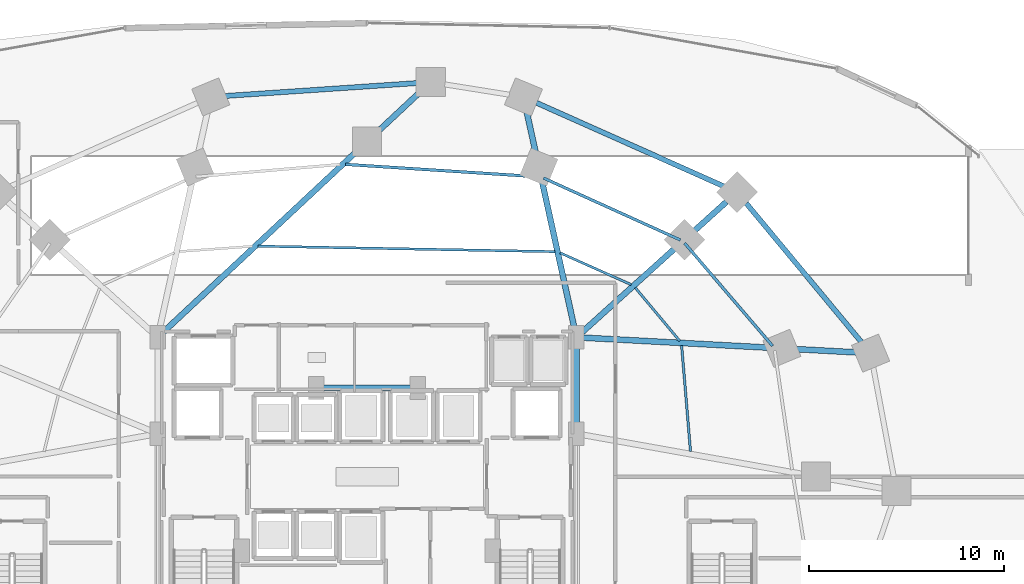
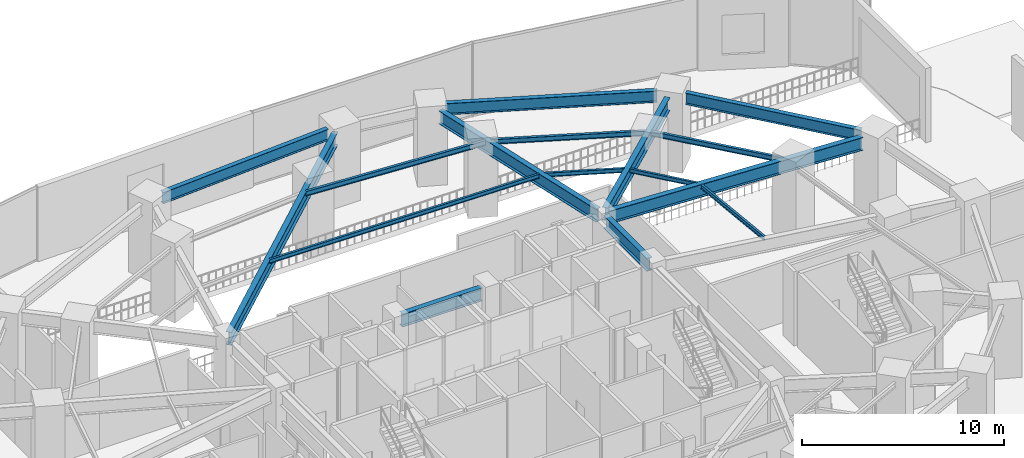
# One storey, part 19 of 36: 16 beams.
"""IFC4 building model written with IfcOpenShell, lengths in metres."""

from ifc_helpers import new_model, si_unit, direction, frame, origin, origin_2d, place, context, subcontext, project, spatial, i_section, extrude, material, material_profile, profile_set, type_object, element, save


model = new_model("IFC4")

# Units and contexts
model_context = context("Model", 3, precision=1e-05, world=origin(), true_north=direction((0.0, 1.0)))
body_context = subcontext(model_context, "Body", "Model", "MODEL_VIEW")
ifc_project = project(units=[si_unit("LENGTHUNIT", "METRE"), si_unit("AREAUNIT", "SQUARE_METRE"), si_unit("VOLUMEUNIT", "CUBIC_METRE"), si_unit("PLANEANGLEUNIT", "RADIAN"), si_unit("MASSUNIT", "GRAM", prefix="KILO")], contexts=[model_context])

# Site, building, storey
site_placement = place(None, origin())
site = spatial("IfcSite", under=ifc_project, at=site_placement, CompositionType="ELEMENT")
building_placement = place(site_placement, origin())
building = spatial("IfcBuilding", under=site, at=building_placement, Name="Vorneva Point Tower", CompositionType="ELEMENT")
storey_placement = place(building_placement, origin())
storey = spatial("IfcBuildingStorey", under=building, at=storey_placement, Name="L00", CompositionType="ELEMENT", Elevation=0.0)

# Beams
ifc_material = material(Name="Steel S355", Category="steel")
ifc_material_profile_1 = material_profile(ifc_material, i_section(OverallWidth=0.300048828125, OverallDepth=0.7880859375, WebThickness=0.014404296875, FlangeThickness=0.02197265625, at=origin_2d()), Name="80Sh1")
ifc_profile_set_1 = profile_set([ifc_material_profile_1], Name="Steel S355")
beam_type_1 = type_object("IfcBeamType", Name="BM-GRD-80Sh1", PredefinedType="USERDEFINED", material=ifc_profile_set_1)
beam_1_placement = place(storey_placement, frame((63.11767578125, 32.37646484375, 4.0859375), z_axis=(-0.99855432341, 0.053751866937, 0.0), x_axis=(-0.053751866937, -0.99855432341, 0.0)))
element("IfcBeam", 1, at=beam_1_placement, inside=storey, type_object=beam_type_1, Name="L00 Radial Primary Girder 02", ObjectType="GIRDER", PredefinedType="USERDEFINED", context=body_context, shape_type="SweptSolid", body=[
    extrude(i_section(OverallWidth=0.300048828125, OverallDepth=0.7880859375, WebThickness=0.014404296875, FlangeThickness=0.02197265625, at=origin_2d()), origin(), (0.0, 0.0, 1.0), 14.04833984375),
])
beam_2_placement = place(storey_placement, frame((56.44970703125, 40.10498046875, 4.0859375), z_axis=(-0.742089370901, -0.67030095151, 0.0), x_axis=(0.67030095151, -0.742089370901, 0.0)))
element("IfcBeam", 2, at=beam_2_placement, inside=storey, type_object=beam_type_1, Name="L00 Radial Primary Girder 03", ObjectType="GIRDER", PredefinedType="USERDEFINED", context=body_context, shape_type="SweptSolid", body=[
    extrude(i_section(OverallWidth=0.300048828125, OverallDepth=0.7880859375, WebThickness=0.014404296875, FlangeThickness=0.02197265625, at=origin_2d()), origin(), (0.0, 0.0, 1.0), 10.035888671875),
])
beam_3_placement = place(storey_placement, frame((46.185302734375, 44.77099609375, 4.0859375), z_axis=(0.215510345791, -0.976501557017, 0.0), x_axis=(0.976501557017, 0.215510345791, 0.0)))
element("IfcBeam", 3, at=beam_3_placement, inside=storey, type_object=beam_type_1, Name="L00 Radial Primary Girder 04", ObjectType="GIRDER", PredefinedType="USERDEFINED", context=body_context, shape_type="SweptSolid", body=[
    extrude(i_section(OverallWidth=0.300048828125, OverallDepth=0.7880859375, WebThickness=0.014404296875, FlangeThickness=0.02197265625, at=origin_2d()), origin(), (0.0, 0.0, 1.0), 11.560791015625),
])
beam_4_placement = place(storey_placement, frame((40.72607421875, 45.74853515625, 4.0859375), z_axis=(-0.730489653378, -0.682923763174, 0.0), x_axis=(0.682923763174, -0.730489653378, 0.0)))
element("IfcBeam", 4, at=beam_4_placement, inside=storey, type_object=beam_type_1, Name="L00 Radial Primary Girder 05", ObjectType="GIRDER", PredefinedType="USERDEFINED", context=body_context, shape_type="SweptSolid", body=[
    extrude(i_section(OverallWidth=0.300048828125, OverallDepth=0.7880859375, WebThickness=0.014404296875, FlangeThickness=0.02197265625, at=origin_2d()), origin(), (0.0, 0.0, 1.0), 18.108154296875),
])
beam_5_placement = place(storey_placement, frame((48.75, 28.52001953125, 4.0859375), z_axis=(0.0, 1.0, 0.0), x_axis=(-1.0, 0.0, 0.0)))
element("IfcBeam", 5, at=beam_5_placement, inside=storey, type_object=beam_type_1, Name="L00 Core Tie Girder CT4", ObjectType="GIRDER", PredefinedType="USERDEFINED", context=body_context, shape_type="SweptSolid", body=[
    extrude(i_section(OverallWidth=0.300048828125, OverallDepth=0.7880859375, WebThickness=0.014404296875, FlangeThickness=0.02197265625, at=origin_2d()), origin(), (0.0, 0.0, 1.0), 4.31005859375),
])
beam_6_placement = place(storey_placement, frame((35.719970703125, 30.550048828125, 4.0859375), z_axis=(1.0, 0.0, 0.0), x_axis=(0.0, 1.0, 0.0)))
element("IfcBeam", 6, at=beam_6_placement, inside=storey, type_object=beam_type_1, Name="L00 Core Tie Girder CT8", ObjectType="GIRDER", PredefinedType="USERDEFINED", context=body_context, shape_type="SweptSolid", body=[
    extrude(i_section(OverallWidth=0.300048828125, OverallDepth=0.7880859375, WebThickness=0.014404296875, FlangeThickness=0.02197265625, at=origin_2d()), origin(), (0.0, 0.0, 1.0), 4.56005859375),
])
ifc_material_profile_2 = material_profile(ifc_material, i_section(OverallWidth=0.1240234375, OverallDepth=0.248046875, WebThickness=0.0048828125, FlangeThickness=0.008056640625, at=origin_2d()), Name="25B1")
ifc_profile_set_2 = profile_set([ifc_material_profile_2], Name="Steel S355")
beam_type_2 = type_object("IfcBeamType", Name="BM-JST-25B1", PredefinedType="JOIST", material=ifc_profile_set_2)
beam_7_placement = place(storey_placement, frame((54.606689453125, 27.287841796875, 4.35595703125), z_axis=(-0.083534506549, 0.996504885194, 0.0), x_axis=(-0.996504885194, -0.083534506549, 0.0)))
element("IfcBeam", 7, at=beam_7_placement, inside=storey, type_object=beam_type_2, Name="L00 Secondary Floor Beam 2.01", PredefinedType="JOIST", context=body_context, shape_type="SweptSolid", body=[
    extrude(i_section(OverallWidth=0.1240234375, OverallDepth=0.248046875, WebThickness=0.0048828125, FlangeThickness=0.008056640625, at=origin_2d()), origin(), (0.0, 0.0, 1.0), 5.45361328125),
])
beam_8_placement = place(storey_placement, frame((54.051025390625, 32.9658203125, 4.35595703125), z_axis=(-0.641170121391, 0.76739877211, 0.0), x_axis=(-0.76739877211, -0.641170121391, 0.0)))
element("IfcBeam", 8, at=beam_8_placement, inside=storey, type_object=beam_type_2, Name="L00 Secondary Floor Beam 2.02", PredefinedType="JOIST", context=body_context, shape_type="SweptSolid", body=[
    extrude(i_section(OverallWidth=0.1240234375, OverallDepth=0.248046875, WebThickness=0.0048828125, FlangeThickness=0.008056640625, at=origin_2d()), origin(), (0.0, 0.0, 1.0), 3.554931640625),
])
beam_9_placement = place(storey_placement, frame((51.557373046875, 35.85595703125, 4.35595703125), z_axis=(-0.912802087276, 0.408402190817, 0.0), x_axis=(-0.408402190817, -0.912802087276, 0.0)))
element("IfcBeam", 9, at=beam_9_placement, inside=storey, type_object=beam_type_2, Name="L00 Secondary Floor Beam 2.03", PredefinedType="JOIST", context=body_context, shape_type="SweptSolid", body=[
    extrude(i_section(OverallWidth=0.1240234375, OverallDepth=0.248046875, WebThickness=0.0048828125, FlangeThickness=0.008056640625, at=origin_2d()), origin(), (0.0, 0.0, 1.0), 4.00048828125),
])
beam_10_placement = place(storey_placement, frame((47.641845703125, 37.548583984375, 4.35595703125), z_axis=(-0.999827762903, 0.018559216778, 0.0), x_axis=(-0.018559216778, -0.999827762903, 0.0)))
element("IfcBeam", 10, at=beam_10_placement, inside=storey, type_object=beam_type_2, Name="L00 Secondary Floor Beam 2.04", PredefinedType="JOIST", context=body_context, shape_type="SweptSolid", body=[
    extrude(i_section(OverallWidth=0.1240234375, OverallDepth=0.248046875, WebThickness=0.0048828125, FlangeThickness=0.008056640625, at=origin_2d()), origin(), (0.0, 0.0, 1.0), 15.246337890625),
])
ifc_material_profile_3 = material_profile(ifc_material, i_section(OverallWidth=0.14892578125, OverallDepth=0.298095703125, WebThickness=0.005615234375, FlangeThickness=0.008056640625, at=origin_2d()), Name="30B1")
ifc_profile_set_3 = profile_set([ifc_material_profile_3], Name="Steel S355")
beam_type_3 = type_object("IfcBeamType", Name="BM-JST-30B1", PredefinedType="JOIST", material=ifc_profile_set_3)
beam_11_placement = place(storey_placement, frame((58.8193359375, 32.707763671875, 4.3310546875), z_axis=(-0.650229358056, 0.759737969251, 0.0), x_axis=(-0.759737969251, -0.650229358056, 0.0)))
element("IfcBeam", 11, at=beam_11_placement, inside=storey, type_object=beam_type_3, Name="L00 Secondary Floor Beam 1.02", PredefinedType="JOIST", context=body_context, shape_type="SweptSolid", body=[
    extrude(i_section(OverallWidth=0.14892578125, OverallDepth=0.298095703125, WebThickness=0.005615234375, FlangeThickness=0.008056640625, at=origin_2d()), origin(), (0.0, 0.0, 1.0), 6.9423828125),
])
beam_12_placement = place(storey_placement, frame((54.08984375, 38.143798828125, 4.3310546875), z_axis=(-0.910977501851, 0.412456047503, 0.0), x_axis=(-0.412456047503, -0.910977501851, 0.0)))
element("IfcBeam", 12, at=beam_12_placement, inside=storey, type_object=beam_type_3, Name="L00 Secondary Floor Beam 1.03", PredefinedType="JOIST", context=body_context, shape_type="SweptSolid", body=[
    extrude(i_section(OverallWidth=0.14892578125, OverallDepth=0.298095703125, WebThickness=0.005615234375, FlangeThickness=0.008056640625, at=origin_2d()), origin(), (0.0, 0.0, 1.0), 7.718505859375),
])
beam_13_placement = place(storey_placement, frame((46.794921875, 41.39306640625, 4.3310546875), z_axis=(-0.997937939646, 0.064186202688, 0.0), x_axis=(-0.064186202688, -0.997937939646, 0.0)))
element("IfcBeam", 13, at=beam_13_placement, inside=storey, type_object=beam_type_3, Name="L00 Secondary Floor Beam 1.04", PredefinedType="JOIST", context=body_context, shape_type="SweptSolid", body=[
    extrude(i_section(OverallWidth=0.14892578125, OverallDepth=0.298095703125, WebThickness=0.005615234375, FlangeThickness=0.008056640625, at=origin_2d()), origin(), (0.0, 0.0, 1.0), 9.919921875),
])
ifc_material_profile_4 = material_profile(ifc_material, i_section(OverallWidth=0.260009765625, OverallDepth=0.69091796875, WebThickness=0.011962890625, FlangeThickness=0.015380859375, at=origin_2d()), Name="70B1")
ifc_profile_set_4 = profile_set([ifc_material_profile_4], Name="Steel S355")
beam_type_4 = type_object("IfcBeamType", Name="BM-SPN-70B1", PredefinedType="SPANDREL", material=ifc_profile_set_4)
beam_14_placement = place(storey_placement, frame((63.385009765625, 32.90234375, 4.134521484375), z_axis=(-0.638592053959, 0.769545442856, 0.0), x_axis=(-0.769545442856, -0.638592053959, 0.0)))
element("IfcBeam", 14, at=beam_14_placement, inside=storey, type_object=beam_type_4, Name="L00 Perimeter Spandrel Ring Beam 02", PredefinedType="SPANDREL", context=body_context, shape_type="SweptSolid", body=[
    extrude(i_section(OverallWidth=0.260009765625, OverallDepth=0.69091796875, WebThickness=0.011962890625, FlangeThickness=0.015380859375, at=origin_2d()), origin(), (0.0, 0.0, 1.0), 9.267578125),
])
beam_15_placement = place(storey_placement, frame((56.326171875, 40.899169921875, 4.134521484375), z_axis=(-0.91332481678, 0.407231849263, 0.0), x_axis=(-0.407231849263, -0.91332481678, 0.0)))
element("IfcBeam", 15, at=beam_15_placement, inside=storey, type_object=beam_type_4, Name="L00 Perimeter Spandrel Ring Beam 03", PredefinedType="SPANDREL", context=body_context, shape_type="SweptSolid", body=[
    extrude(i_section(OverallWidth=0.260009765625, OverallDepth=0.69091796875, WebThickness=0.011962890625, FlangeThickness=0.015380859375, at=origin_2d()), origin(), (0.0, 0.0, 1.0), 10.54248046875),
])
beam_16_placement = place(storey_placement, frame((40.53173828125, 46.203125, 4.134521484375), z_axis=(-0.997736846563, -0.067239757663, 0.0), x_axis=(0.067239757663, -0.997736846563, 0.0)))
element("IfcBeam", 16, at=beam_16_placement, inside=storey, type_object=beam_type_4, Name="L00 Perimeter Spandrel Ring Beam 05", PredefinedType="SPANDREL", context=body_context, shape_type="SweptSolid", body=[
    extrude(i_section(OverallWidth=0.260009765625, OverallDepth=0.69091796875, WebThickness=0.011962890625, FlangeThickness=0.015380859375, at=origin_2d()), origin(), (0.0, 0.0, 1.0), 9.846923828125),
])

save(model, "model.ifc")
